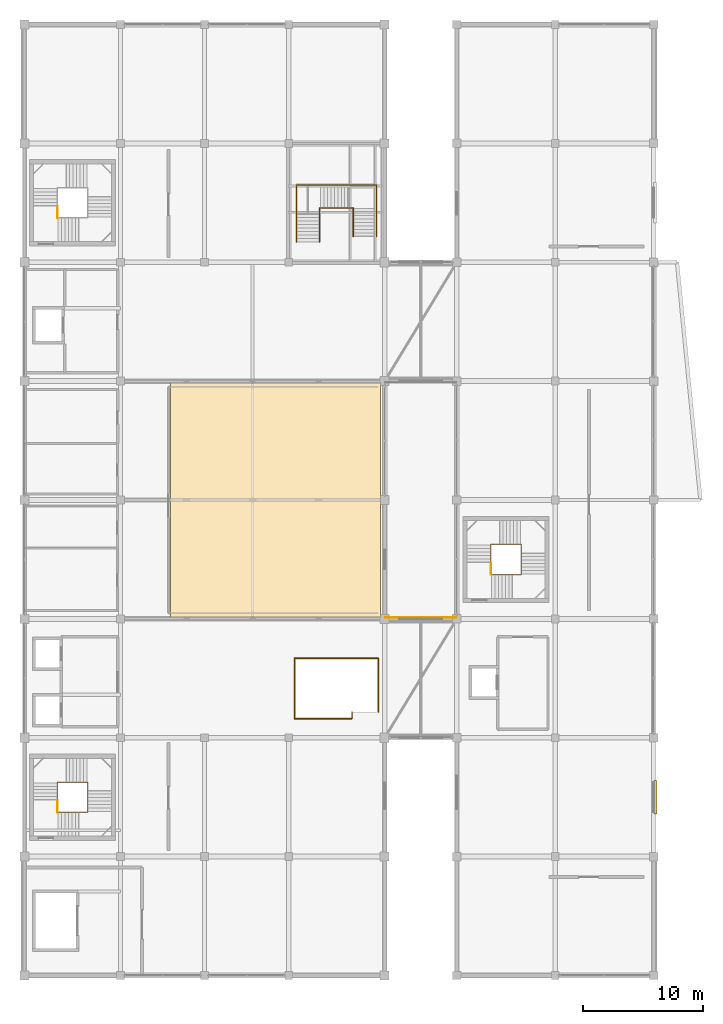
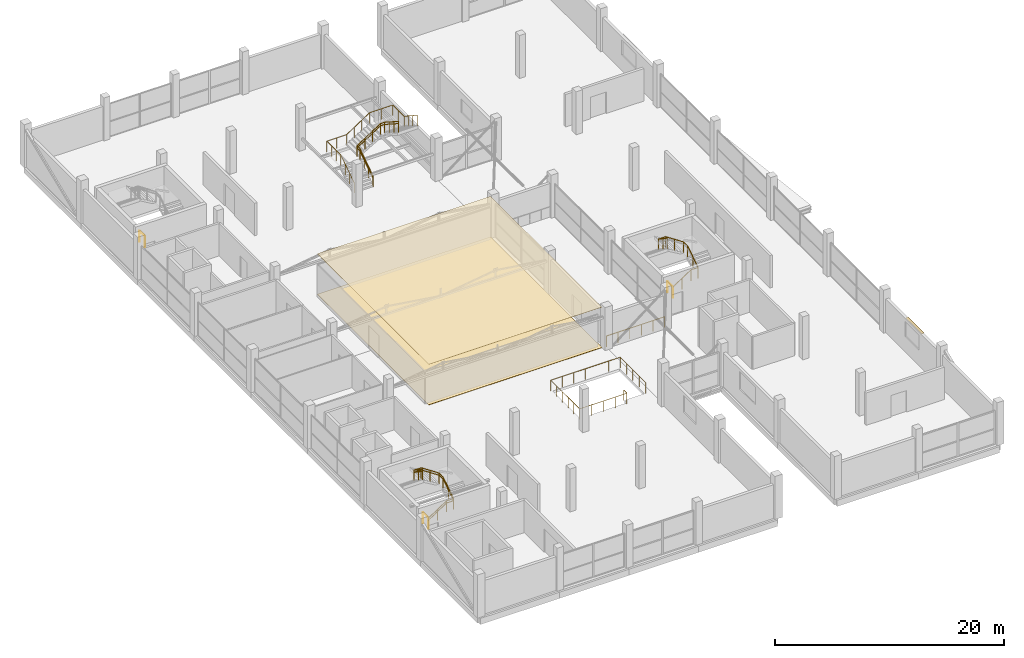
# One storey, part 68 of 69: 11 railings, 2 coverings, 1 shading device.
"""IFC4 building model written with IfcOpenShell, lengths in metres."""

from ifc_helpers import new_model, si_unit, direction, frame, origin, origin_2d, place, context, subcontext, project, spatial, polyline, rectangle, circle, outline, extrude, material, layer, layer_set, type_object, element, save


model = new_model("IFC4")

# Units and contexts
model_context = context("Model", 3, precision=1e-05, world=origin(), true_north=direction((0.0, 1.0)))
body_context = subcontext(model_context, "Body", "Model", "MODEL_VIEW")
ifc_project = project(units=[si_unit("LENGTHUNIT", "METRE"), si_unit("AREAUNIT", "SQUARE_METRE"), si_unit("VOLUMEUNIT", "CUBIC_METRE"), si_unit("PLANEANGLEUNIT", "RADIAN"), si_unit("MASSUNIT", "GRAM", prefix="KILO")], contexts=[model_context])

# Site, building, storey
site_placement = place(None, origin())
site = spatial("IfcSite", under=ifc_project, at=site_placement, CompositionType="ELEMENT")
building_placement = place(site_placement, origin())
building = spatial("IfcBuilding", under=site, at=building_placement, Name="Sillaruma Civic Art Gallery", CompositionType="ELEMENT")
storey_placement = place(building_placement, frame((0.0, 0.0, 42.330078125)))
storey = spatial("IfcBuildingStorey", under=building, at=storey_placement, Name="L08", CompositionType="ELEMENT", Elevation=42.330078125)

# Coverings
ifc_material_1 = material(Name="Gypsum Acoustic Board", Category="gypsum")
ifc_layer_1 = layer(ifc_material_1, 0.030029296875, Name="Gypsum Acoustic Board")
ifc_layer_set_1 = layer_set([ifc_layer_1], Name="Gypsum Acoustic Board")
covering_type_1 = type_object("IfcCoveringType", Name="COV-CLG-30", PredefinedType="CEILING", material=ifc_layer_set_1)
covering_1_placement = place(storey_placement, frame((0.0, 0.0, 4.309814453125)))
element("IfcCovering", 1, at=covering_1_placement, inside=storey, type_object=covering_type_1, Name="Acoustic Gallery Ceiling (L08-GAL81)", PredefinedType="CEILING", context=body_context, shape_type="SweptSolid", body=[
    extrude(outline(polyline([(74.159912109375, 49.659912109375), (91.639892578125, 49.659912109375), (91.639892578125, 69.139892578125), (74.159912109375, 69.139892578125), (74.159912109375, 49.659912109375)])), origin(), (0.0, 0.0, 1.0), 0.030029296875),
])
ifc_material_2 = material(Name="Polished Terrazzo", Category="masonry")
ifc_layer_2 = layer(ifc_material_2, 0.02490234375, Name="Polished Terrazzo")
ifc_layer_set_2 = layer_set([ifc_layer_2], Name="Polished Terrazzo")
covering_type_2 = type_object("IfcCoveringType", Name="COV-FLR-25", PredefinedType="FLOORING", material=ifc_layer_set_2)
covering_2_placement = place(storey_placement, origin())
element("IfcCovering", 2, at=covering_2_placement, inside=storey, type_object=covering_type_2, Name="Gallery Stone Terrazzo Flooring (L08-GAL81)", PredefinedType="FLOORING", context=body_context, shape_type="SweptSolid", body=[
    extrude(outline(polyline([(74.159912109375, 49.659912109375), (91.639892578125, 49.659912109375), (91.639892578125, 69.139892578125), (74.159912109375, 69.139892578125), (74.159912109375, 49.659912109375)])), origin(), (0.0, 0.0, 1.0), 0.02490234375),
])

# Railings
ifc_material_3 = material(Name="Stainless Steel AISI 316", Category="steel")
railing_type_1 = type_object("IfcRailingType", Name="RAL-BAL-1150", PredefinedType="BALUSTRADE", material=ifc_material_3)
railing_1_placement = place(storey_placement, frame((92.06005859375, 49.6201171875, 0.0)))
element("IfcRailing", 3, at=railing_1_placement, inside=storey, type_object=railing_type_1, Name="Sculpture Terrace Balustrade (SLB-L08-TER-CM-1)", PredefinedType="BALUSTRADE", context=body_context, shape_type="SweptSolid", body=[
    extrude(circle(Radius=0.02392578125, at=origin_2d()), frame((0.0, 0.0, 1.1259765625), z_axis=(1.0, 0.0, 0.0), x_axis=(0.0, 1.0, 0.0)), (0.0, 0.0, 1.0), 5.8798828125),
    extrude(circle(Radius=0.02099609375, at=origin_2d()), origin(), (0.0, 0.0, 1.0), 1.101806640625),
    extrude(circle(Radius=0.02099609375, at=origin_2d()), frame((1.176025390625, 0.0, 0.0)), (0.0, 0.0, 1.0), 1.101806640625),
    extrude(circle(Radius=0.02099609375, at=origin_2d()), frame((2.35205078125, 0.0, 0.0)), (0.0, 0.0, 1.0), 1.101806640625),
    extrude(circle(Radius=0.02099609375, at=origin_2d()), frame((3.52783203125, 0.0, 0.0)), (0.0, 0.0, 1.0), 1.101806640625),
    extrude(circle(Radius=0.02099609375, at=origin_2d()), frame((4.703857421875, 0.0, 0.0)), (0.0, 0.0, 1.0), 1.101806640625),
    extrude(circle(Radius=0.02099609375, at=origin_2d()), frame((5.8798828125, 0.0, 0.0)), (0.0, 0.0, 1.0), 1.101806640625),
])
for number, where, name in (
    (4, (64.739990234375, 82.889892578125, 0.0), "Stair Floor Edge Guard (ST-02:L08)"),
    (5, (64.739990234375, 33.389892578125, 0.0), "Stair Floor Edge Guard (ST-03:L08)"),
):
    element("IfcRailing", number, at=place(storey_placement, frame(where)), inside=storey, type_object=railing_type_1, Name=name, PredefinedType="BALUSTRADE", context=body_context, shape_type="SweptSolid", body=[
        extrude(circle(Radius=0.02392578125, at=origin_2d()), frame((0.0, 0.0, 1.1259765625), z_axis=(0.0, 1.0, 0.0), x_axis=(-1.0, 0.0, 0.0)), (0.0, 0.0, 1.0), 0.97021484375),
        extrude(circle(Radius=0.02099609375, at=origin_2d()), origin(), (0.0, 0.0, 1.0), 1.101806640625),
        extrude(circle(Radius=0.02099609375, at=origin_2d()), frame((0.0, 0.97021484375, 0.0)), (0.0, 0.0, 1.0), 1.101806640625),
    ])
railing_2_placement = place(storey_placement, frame((64.739990234375, 33.389892578125, 0.0)))
element("IfcRailing", 6, at=railing_2_placement, inside=storey, type_object=railing_type_1, Name="Stair Well Balustrade (ST-03-L08)", PredefinedType="BALUSTRADE", context=body_context, shape_type="SweptSolid", body=[
    extrude(circle(Radius=0.02392578125, at=origin_2d()), frame((0.0, 0.0, 1.1259765625), z_axis=(0.834202413191, 0.0, 0.551458369984), x_axis=(0.0, 1.0, 0.0)), (0.0, 0.0, 1.0), 2.15771484375),
    extrude(circle(Radius=0.02392578125, at=origin_2d()), frame((1.800048828125, 0.0, 2.31591796875), z_axis=(1.0, 0.0, 0.0), x_axis=(0.0, 1.0, 0.0)), (0.0, 0.0, 1.0), 0.719970703125),
    extrude(circle(Radius=0.02392578125, at=origin_2d()), frame((2.52001953125, 0.0, 2.31591796875), z_axis=(0.0, 0.834202413191, 0.551458369984), x_axis=(-1.0, 0.0, 0.0)), (0.0, 0.0, 1.0), 2.15771484375),
    extrude(circle(Radius=0.02392578125, at=origin_2d()), frame((2.52001953125, 1.800048828125, 3.505859375), z_axis=(0.0, 1.0, 0.0), x_axis=(-1.0, 0.0, 0.0)), (0.0, 0.0, 1.0), 0.719970703125),
    extrude(circle(Radius=0.02392578125, at=origin_2d()), frame((2.52001953125, 2.52001953125, 3.505859375), z_axis=(-0.834202413191, 0.0, 0.551458369984), x_axis=(0.0, -1.0, 0.0)), (0.0, 0.0, 1.0), 2.15771484375),
    extrude(circle(Radius=0.02392578125, at=origin_2d()), frame((0.719970703125, 2.52001953125, 4.69580078125), z_axis=(-1.0, 0.0, 0.0), x_axis=(0.0, -1.0, 0.0)), (0.0, 0.0, 1.0), 0.719970703125),
    extrude(circle(Radius=0.02392578125, at=origin_2d()), frame((0.0, 2.52001953125, 4.69580078125), z_axis=(0.0, -0.828654473869, 0.559760451387), x_axis=(1.0, 0.0, 0.0)), (0.0, 0.0, 1.0), 1.822265625),
    extrude(circle(Radius=0.02099609375, at=origin_2d()), origin(), (0.0, 0.0, 1.0), 1.101806640625),
    extrude(circle(Radius=0.02099609375, at=origin_2d()), frame((0.89990234375, 0.0, 0.594970703125)), (0.0, 0.0, 1.0), 1.101806640625),
    extrude(circle(Radius=0.02099609375, at=origin_2d()), frame((1.800048828125, 0.0, 1.18994140625)), (0.0, 0.0, 1.0), 1.101806640625),
    extrude(circle(Radius=0.02099609375, at=origin_2d()), frame((2.52001953125, 0.0, 1.18994140625)), (0.0, 0.0, 1.0), 1.101806640625),
    extrude(circle(Radius=0.02099609375, at=origin_2d()), frame((2.52001953125, 0.89990234375, 1.784912109375)), (0.0, 0.0, 1.0), 1.101806640625),
    extrude(circle(Radius=0.02099609375, at=origin_2d()), frame((2.52001953125, 1.800048828125, 2.3798828125)), (0.0, 0.0, 1.0), 1.101806640625),
    extrude(circle(Radius=0.02099609375, at=origin_2d()), frame((2.52001953125, 2.52001953125, 2.3798828125)), (0.0, 0.0, 1.0), 1.101806640625),
    extrude(circle(Radius=0.02099609375, at=origin_2d()), frame((1.6201171875, 2.52001953125, 2.974853515625)), (0.0, 0.0, 1.0), 1.101806640625),
    extrude(circle(Radius=0.02099609375, at=origin_2d()), frame((0.719970703125, 2.52001953125, 3.56982421875)), (0.0, 0.0, 1.0), 1.101806640625),
    extrude(circle(Radius=0.02099609375, at=origin_2d()), frame((0.0, 2.52001953125, 3.56982421875)), (0.0, 0.0, 1.0), 1.101806640625),
    extrude(circle(Radius=0.02099609375, at=origin_2d()), frame((0.0, 1.76513671875, 4.079833984375)), (0.0, 0.0, 1.0), 1.101806640625),
    extrude(circle(Radius=0.02099609375, at=origin_2d()), frame((0.0, 1.010009765625, 4.58984375)), (0.0, 0.0, 1.0), 1.101806640625),
])
railing_3_placement = place(storey_placement, frame((100.840087890625, 53.18994140625, 0.0)))
element("IfcRailing", 7, at=railing_3_placement, inside=storey, type_object=railing_type_1, Name="Stair Floor Edge Guard (ST-04:L08)", PredefinedType="BALUSTRADE", context=body_context, shape_type="SweptSolid", body=[
    extrude(circle(Radius=0.02392578125, at=origin_2d()), frame((0.0, 0.0, 1.1259765625), z_axis=(0.0, 1.0, 0.0), x_axis=(-1.0, 0.0, 0.0)), (0.0, 0.0, 1.0), 0.969970703125),
    extrude(circle(Radius=0.02099609375, at=origin_2d()), origin(), (0.0, 0.0, 1.0), 1.101806640625),
    extrude(circle(Radius=0.02099609375, at=origin_2d()), frame((0.0, 0.969970703125, 0.0)), (0.0, 0.0, 1.0), 1.101806640625),
])
railing_4_placement = place(storey_placement, frame((100.840087890625, 53.18994140625, 0.0)))
element("IfcRailing", 8, at=railing_4_placement, inside=storey, type_object=railing_type_1, Name="Stair Well Balustrade (ST-04-L08)", PredefinedType="BALUSTRADE", context=body_context, shape_type="SweptSolid", body=[
    extrude(circle(Radius=0.02392578125, at=origin_2d()), frame((0.0, 0.0, 1.1259765625), z_axis=(0.834168000855, 0.0, 0.551510422703), x_axis=(0.0, 1.0, 0.0)), (0.0, 0.0, 1.0), 2.15771484375),
    extrude(circle(Radius=0.02392578125, at=origin_2d()), frame((1.7998046875, 0.0, 2.31591796875), z_axis=(1.0, 0.0, 0.0), x_axis=(0.0, 1.0, 0.0)), (0.0, 0.0, 1.0), 0.72021484375),
    extrude(circle(Radius=0.02392578125, at=origin_2d()), frame((2.52001953125, 0.0, 2.31591796875), z_axis=(0.0, 0.834202413191, 0.551458369984), x_axis=(-1.0, 0.0, 0.0)), (0.0, 0.0, 1.0), 2.15771484375),
    extrude(circle(Radius=0.02392578125, at=origin_2d()), frame((2.52001953125, 1.800048828125, 3.505859375), z_axis=(0.0, 1.0, 0.0), x_axis=(-1.0, 0.0, 0.0)), (0.0, 0.0, 1.0), 0.719970703125),
    extrude(circle(Radius=0.02392578125, at=origin_2d()), frame((2.52001953125, 2.52001953125, 3.505859375), z_axis=(-0.834202413191, 0.0, 0.551458369984), x_axis=(0.0, -1.0, 0.0)), (0.0, 0.0, 1.0), 2.15771484375),
    extrude(circle(Radius=0.02392578125, at=origin_2d()), frame((0.719970703125, 2.52001953125, 4.69580078125), z_axis=(-1.0, 0.0, 0.0), x_axis=(0.0, -1.0, 0.0)), (0.0, 0.0, 1.0), 0.719970703125),
    extrude(circle(Radius=0.02392578125, at=origin_2d()), frame((0.0, 2.52001953125, 4.69580078125), z_axis=(0.0, -0.828654473869, 0.559760451387), x_axis=(1.0, 0.0, 0.0)), (0.0, 0.0, 1.0), 1.822265625),
    extrude(circle(Radius=0.02099609375, at=origin_2d()), origin(), (0.0, 0.0, 1.0), 1.101806640625),
    extrude(circle(Radius=0.02099609375, at=origin_2d()), frame((0.89990234375, 0.0, 0.594970703125)), (0.0, 0.0, 1.0), 1.101806640625),
    extrude(circle(Radius=0.02099609375, at=origin_2d()), frame((1.7998046875, 0.0, 1.18994140625)), (0.0, 0.0, 1.0), 1.101806640625),
    extrude(circle(Radius=0.02099609375, at=origin_2d()), frame((2.52001953125, 0.0, 1.18994140625)), (0.0, 0.0, 1.0), 1.101806640625),
    extrude(circle(Radius=0.02099609375, at=origin_2d()), frame((2.52001953125, 0.89990234375, 1.784912109375)), (0.0, 0.0, 1.0), 1.101806640625),
    extrude(circle(Radius=0.02099609375, at=origin_2d()), frame((2.52001953125, 1.800048828125, 2.3798828125)), (0.0, 0.0, 1.0), 1.101806640625),
    extrude(circle(Radius=0.02099609375, at=origin_2d()), frame((2.52001953125, 2.52001953125, 2.3798828125)), (0.0, 0.0, 1.0), 1.101806640625),
    extrude(circle(Radius=0.02099609375, at=origin_2d()), frame((1.6201171875, 2.52001953125, 2.974853515625)), (0.0, 0.0, 1.0), 1.101806640625),
    extrude(circle(Radius=0.02099609375, at=origin_2d()), frame((0.719970703125, 2.52001953125, 3.56982421875)), (0.0, 0.0, 1.0), 1.101806640625),
    extrude(circle(Radius=0.02099609375, at=origin_2d()), frame((0.0, 2.52001953125, 3.56982421875)), (0.0, 0.0, 1.0), 1.101806640625),
    extrude(circle(Radius=0.02099609375, at=origin_2d()), frame((0.0, 1.76513671875, 4.079833984375)), (0.0, 0.0, 1.0), 1.101806640625),
    extrude(circle(Radius=0.02099609375, at=origin_2d()), frame((0.0, 1.010009765625, 4.58984375)), (0.0, 0.0, 1.0), 1.101806640625),
])
railing_5_placement = place(storey_placement, frame((89.260009765625, 41.739990234375, 0.0)))
element("IfcRailing", 9, at=railing_5_placement, inside=storey, type_object=railing_type_1, Name="Feature Stair Arrival Well Balustrade (ST-G04)", PredefinedType="BALUSTRADE", context=body_context, shape_type="SweptSolid", body=[
    extrude(circle(Radius=0.02392578125, at=origin_2d()), frame((0.0, 0.0, 1.1259765625), z_axis=(0.0, -1.0, 0.0), x_axis=(1.0, 0.0, 0.0)), (0.0, 0.0, 1.0), 0.56005859375),
    extrude(circle(Radius=0.02392578125, at=origin_2d()), frame((0.0, -0.56005859375, 1.1259765625), z_axis=(-1.0, 0.0, 0.0), x_axis=(0.0, -1.0, 0.0)), (0.0, 0.0, 1.0), 4.780029296875),
    extrude(circle(Radius=0.02392578125, at=origin_2d()), frame((-4.780029296875, -0.56005859375, 1.1259765625), z_axis=(0.0, 1.0, 0.0), x_axis=(-1.0, 0.0, 0.0)), (0.0, 0.0, 1.0), 5.0400390625),
    extrude(circle(Radius=0.02392578125, at=origin_2d()), frame((-4.780029296875, 4.47998046875, 1.1259765625), z_axis=(1.0, 0.0, 0.0), x_axis=(0.0, 1.0, 0.0)), (0.0, 0.0, 1.0), 7.0),
    extrude(circle(Radius=0.02392578125, at=origin_2d()), frame((2.219970703125, 4.47998046875, 1.1259765625), z_axis=(0.0, -1.0, 0.0), x_axis=(1.0, 0.0, 0.0)), (0.0, 0.0, 1.0), 4.47998046875),
    extrude(circle(Radius=0.02099609375, at=origin_2d()), origin(), (0.0, 0.0, 1.0), 1.101806640625),
    extrude(circle(Radius=0.02099609375, at=origin_2d()), frame((0.0, -0.56005859375, 0.0)), (0.0, 0.0, 1.0), 1.101806640625),
    extrude(circle(Radius=0.02099609375, at=origin_2d()), frame((-1.195068359375, -0.56005859375, 0.0)), (0.0, 0.0, 1.0), 1.101806640625),
    extrude(circle(Radius=0.02099609375, at=origin_2d()), frame((-2.39013671875, -0.56005859375, 0.0)), (0.0, 0.0, 1.0), 1.101806640625),
    extrude(circle(Radius=0.02099609375, at=origin_2d()), frame((-3.5849609375, -0.56005859375, 0.0)), (0.0, 0.0, 1.0), 1.101806640625),
    extrude(circle(Radius=0.02099609375, at=origin_2d()), frame((-4.780029296875, -0.56005859375, 0.0)), (0.0, 0.0, 1.0), 1.101806640625),
    extrude(circle(Radius=0.02099609375, at=origin_2d()), frame((-4.780029296875, 0.447998046875, 0.0)), (0.0, 0.0, 1.0), 1.101806640625),
    extrude(circle(Radius=0.02099609375, at=origin_2d()), frame((-4.780029296875, 1.4560546875, 0.0)), (0.0, 0.0, 1.0), 1.101806640625),
    extrude(circle(Radius=0.02099609375, at=origin_2d()), frame((-4.780029296875, 2.4638671875, 0.0)), (0.0, 0.0, 1.0), 1.101806640625),
    extrude(circle(Radius=0.02099609375, at=origin_2d()), frame((-4.780029296875, 3.471923828125, 0.0)), (0.0, 0.0, 1.0), 1.101806640625),
    extrude(circle(Radius=0.02099609375, at=origin_2d()), frame((-4.780029296875, 4.47998046875, 0.0)), (0.0, 0.0, 1.0), 1.101806640625),
    extrude(circle(Radius=0.02099609375, at=origin_2d()), frame((-3.61328125, 4.47998046875, 0.0)), (0.0, 0.0, 1.0), 1.101806640625),
    extrude(circle(Radius=0.02099609375, at=origin_2d()), frame((-2.44677734375, 4.47998046875, 0.0)), (0.0, 0.0, 1.0), 1.101806640625),
    extrude(circle(Radius=0.02099609375, at=origin_2d()), frame((-1.280029296875, 4.47998046875, 0.0)), (0.0, 0.0, 1.0), 1.101806640625),
    extrude(circle(Radius=0.02099609375, at=origin_2d()), frame((-0.11328125, 4.47998046875, 0.0)), (0.0, 0.0, 1.0), 1.101806640625),
    extrude(circle(Radius=0.02099609375, at=origin_2d()), frame((1.05322265625, 4.47998046875, 0.0)), (0.0, 0.0, 1.0), 1.101806640625),
    extrude(circle(Radius=0.02099609375, at=origin_2d()), frame((2.219970703125, 4.47998046875, 0.0)), (0.0, 0.0, 1.0), 1.101806640625),
    extrude(circle(Radius=0.02099609375, at=origin_2d()), frame((2.219970703125, 3.35986328125, 0.0)), (0.0, 0.0, 1.0), 1.101806640625),
    extrude(circle(Radius=0.02099609375, at=origin_2d()), frame((2.219970703125, 2.239990234375, 0.0)), (0.0, 0.0, 1.0), 1.101806640625),
    extrude(circle(Radius=0.02099609375, at=origin_2d()), frame((2.219970703125, 1.1201171875, 0.0)), (0.0, 0.0, 1.0), 1.101806640625),
    extrude(circle(Radius=0.02099609375, at=origin_2d()), frame((2.219970703125, 0.0, 0.0)), (0.0, 0.0, 1.0), 1.101806640625),
])
railing_6_placement = place(storey_placement, frame((86.580078125, 80.89990234375, 0.0)))
element("IfcRailing", 10, at=railing_6_placement, inside=storey, type_object=railing_type_1, Name="Feature Stair Inner Guard (ST-G05)", PredefinedType="BALUSTRADE", context=body_context, shape_type="SweptSolid", body=[
    extrude(circle(Radius=0.02392578125, at=origin_2d()), frame((0.0, 0.0, 1.1259765625), z_axis=(0.0, 0.834810476361, 0.55053743611), x_axis=(-1.0, 0.0, 0.0)), (0.0, 0.0, 1.0), 2.779052734375),
    extrude(circle(Radius=0.02392578125, at=origin_2d()), frame((0.0, 2.320068359375, 2.65576171875), z_axis=(0.0, 1.0, 0.0), x_axis=(-1.0, 0.0, 0.0)), (0.0, 0.0, 1.0), 0.5),
    extrude(circle(Radius=0.02392578125, at=origin_2d()), frame((0.0, 2.820068359375, 2.65576171875), z_axis=(0.841200905049, 0.0, 0.540722699121), x_axis=(0.0, 1.0, 0.0)), (0.0, 0.0, 1.0), 2.8291015625),
    extrude(circle(Radius=0.02392578125, at=origin_2d()), frame((2.3798828125, 2.820068359375, 4.185546875), z_axis=(1.0, 0.0, 0.0), x_axis=(0.0, 1.0, 0.0)), (0.0, 0.0, 1.0), 0.419921875),
    extrude(circle(Radius=0.02392578125, at=origin_2d()), frame((2.7998046875, 2.820068359375, 4.185546875), z_axis=(0.0, -0.841161652958, 0.540783758626), x_axis=(1.0, 0.0, 0.0)), (0.0, 0.0, 1.0), 2.829345703125),
    extrude(circle(Radius=0.02099609375, at=origin_2d()), origin(), (0.0, 0.0, 1.0), 1.101806640625),
    extrude(circle(Radius=0.02099609375, at=origin_2d()), frame((0.0, 0.7734375, 0.510009765625)), (0.0, 0.0, 1.0), 1.101806640625),
    extrude(circle(Radius=0.02099609375, at=origin_2d()), frame((0.0, 1.546630859375, 1.02001953125)), (0.0, 0.0, 1.0), 1.101806640625),
    extrude(circle(Radius=0.02099609375, at=origin_2d()), frame((0.0, 2.320068359375, 1.530029296875)), (0.0, 0.0, 1.0), 1.101806640625),
    extrude(circle(Radius=0.02099609375, at=origin_2d()), frame((0.0, 2.820068359375, 1.530029296875)), (0.0, 0.0, 1.0), 1.101806640625),
    extrude(circle(Radius=0.02099609375, at=origin_2d()), frame((0.793212890625, 2.820068359375, 2.0400390625)), (0.0, 0.0, 1.0), 1.101806640625),
    extrude(circle(Radius=0.02099609375, at=origin_2d()), frame((1.586669921875, 2.820068359375, 2.5498046875)), (0.0, 0.0, 1.0), 1.101806640625),
    extrude(circle(Radius=0.02099609375, at=origin_2d()), frame((2.3798828125, 2.820068359375, 3.059814453125)), (0.0, 0.0, 1.0), 1.101806640625),
    extrude(circle(Radius=0.02099609375, at=origin_2d()), frame((2.7998046875, 2.820068359375, 3.059814453125)), (0.0, 0.0, 1.0), 1.101806640625),
    extrude(circle(Radius=0.02099609375, at=origin_2d()), frame((2.7998046875, 2.02685546875, 3.56982421875)), (0.0, 0.0, 1.0), 1.101806640625),
    extrude(circle(Radius=0.02099609375, at=origin_2d()), frame((2.7998046875, 1.2333984375, 4.079833984375)), (0.0, 0.0, 1.0), 1.101806640625),
    extrude(circle(Radius=0.02099609375, at=origin_2d()), frame((2.7998046875, 0.440185546875, 4.58984375)), (0.0, 0.0, 1.0), 1.101806640625),
])
railing_7_placement = place(storey_placement, frame((84.659912109375, 80.89990234375, 0.0)))
element("IfcRailing", 11, at=railing_7_placement, inside=storey, type_object=railing_type_1, Name="Feature Stair Outer Guard (ST-G05)", PredefinedType="BALUSTRADE", context=body_context, shape_type="SweptSolid", body=[
    extrude(circle(Radius=0.02392578125, at=origin_2d()), frame((0.0, 0.0, 1.1259765625), z_axis=(0.0, 0.834810476361, 0.55053743611), x_axis=(-1.0, 0.0, 0.0)), (0.0, 0.0, 1.0), 2.779052734375),
    extrude(circle(Radius=0.02392578125, at=origin_2d()), frame((0.0, 2.320068359375, 2.65576171875), z_axis=(0.0, 1.0, 0.0), x_axis=(-1.0, 0.0, 0.0)), (0.0, 0.0, 1.0), 2.419921875),
    extrude(circle(Radius=0.02392578125, at=origin_2d()), frame((0.0, 4.739990234375, 2.65576171875), z_axis=(1.0, 0.0, 0.0), x_axis=(0.0, 1.0, 0.0)), (0.0, 0.0, 1.0), 1.97998046875),
    extrude(circle(Radius=0.02392578125, at=origin_2d()), frame((1.97998046875, 4.739990234375, 2.65576171875), z_axis=(0.83485085008, 0.0, 0.550476210313), x_axis=(0.0, 1.0, 0.0)), (0.0, 0.0, 1.0), 2.779052734375),
    extrude(circle(Radius=0.02392578125, at=origin_2d()), frame((4.300048828125, 4.739990234375, 4.185546875), z_axis=(1.0, 0.0, 0.0), x_axis=(0.0, 1.0, 0.0)), (0.0, 0.0, 1.0), 2.340087890625),
    extrude(circle(Radius=0.02392578125, at=origin_2d()), frame((6.64013671875, 4.739990234375, 4.185546875), z_axis=(0.0, -1.0, 0.0), x_axis=(1.0, 0.0, 0.0)), (0.0, 0.0, 1.0), 1.97998046875),
    extrude(circle(Radius=0.02392578125, at=origin_2d()), frame((6.64013671875, 2.760009765625, 4.185546875), z_axis=(0.0, -0.834783847741, 0.550577812439), x_axis=(1.0, 0.0, 0.0)), (0.0, 0.0, 1.0), 2.779052734375),
    extrude(circle(Radius=0.02099609375, at=origin_2d()), origin(), (0.0, 0.0, 1.0), 1.101806640625),
    extrude(circle(Radius=0.02099609375, at=origin_2d()), frame((0.0, 0.7734375, 0.510009765625)), (0.0, 0.0, 1.0), 1.101806640625),
    extrude(circle(Radius=0.02099609375, at=origin_2d()), frame((0.0, 1.546630859375, 1.02001953125)), (0.0, 0.0, 1.0), 1.101806640625),
    extrude(circle(Radius=0.02099609375, at=origin_2d()), frame((0.0, 2.320068359375, 1.530029296875)), (0.0, 0.0, 1.0), 1.101806640625),
    extrude(circle(Radius=0.02099609375, at=origin_2d()), frame((0.0, 3.126708984375, 1.530029296875)), (0.0, 0.0, 1.0), 1.101806640625),
    extrude(circle(Radius=0.02099609375, at=origin_2d()), frame((0.0, 3.933349609375, 1.530029296875)), (0.0, 0.0, 1.0), 1.101806640625),
    extrude(circle(Radius=0.02099609375, at=origin_2d()), frame((0.0, 4.739990234375, 1.530029296875)), (0.0, 0.0, 1.0), 1.101806640625),
    extrude(circle(Radius=0.02099609375, at=origin_2d()), frame((0.989990234375, 4.739990234375, 1.530029296875)), (0.0, 0.0, 1.0), 1.101806640625),
    extrude(circle(Radius=0.02099609375, at=origin_2d()), frame((1.97998046875, 4.739990234375, 1.530029296875)), (0.0, 0.0, 1.0), 1.101806640625),
    extrude(circle(Radius=0.02099609375, at=origin_2d()), frame((2.75341796875, 4.739990234375, 2.0400390625)), (0.0, 0.0, 1.0), 1.101806640625),
    extrude(circle(Radius=0.02099609375, at=origin_2d()), frame((3.526611328125, 4.739990234375, 2.5498046875)), (0.0, 0.0, 1.0), 1.101806640625),
    extrude(circle(Radius=0.02099609375, at=origin_2d()), frame((4.300048828125, 4.739990234375, 3.059814453125)), (0.0, 0.0, 1.0), 1.101806640625),
    extrude(circle(Radius=0.02099609375, at=origin_2d()), frame((5.47021484375, 4.739990234375, 3.059814453125)), (0.0, 0.0, 1.0), 1.101806640625),
    extrude(circle(Radius=0.02099609375, at=origin_2d()), frame((6.64013671875, 4.739990234375, 3.059814453125)), (0.0, 0.0, 1.0), 1.101806640625),
    extrude(circle(Radius=0.02099609375, at=origin_2d()), frame((6.64013671875, 3.75, 3.059814453125)), (0.0, 0.0, 1.0), 1.101806640625),
    extrude(circle(Radius=0.02099609375, at=origin_2d()), frame((6.64013671875, 2.760009765625, 3.059814453125)), (0.0, 0.0, 1.0), 1.101806640625),
    extrude(circle(Radius=0.02099609375, at=origin_2d()), frame((6.64013671875, 1.98681640625, 3.56982421875)), (0.0, 0.0, 1.0), 1.101806640625),
    extrude(circle(Radius=0.02099609375, at=origin_2d()), frame((6.64013671875, 1.21337890625, 4.079833984375)), (0.0, 0.0, 1.0), 1.101806640625),
    extrude(circle(Radius=0.02099609375, at=origin_2d()), frame((6.64013671875, 0.440185546875, 4.58984375)), (0.0, 0.0, 1.0), 1.101806640625),
])
railing_type_2 = type_object("IfcRailingType", Name="RAL-HND-920", PredefinedType="HANDRAIL", material=ifc_material_3)
railing_8_placement = place(storey_placement, frame((64.739990234375, 33.389892578125, 0.0)))
element("IfcRailing", 12, at=railing_8_placement, inside=storey, type_object=railing_type_2, Name="Stair Continuous Handrail (ST-03-L08)", PredefinedType="HANDRAIL", context=body_context, shape_type="SweptSolid", body=[
    extrude(circle(Radius=0.02392578125, at=origin_2d()), frame((0.0, 0.0, 0.89599609375), z_axis=(0.834202413191, 0.0, 0.551458369984), x_axis=(0.0, 1.0, 0.0)), (0.0, 0.0, 1.0), 2.15771484375),
    extrude(circle(Radius=0.02392578125, at=origin_2d()), frame((1.800048828125, 0.0, 2.0859375), z_axis=(1.0, 0.0, 0.0), x_axis=(0.0, 1.0, 0.0)), (0.0, 0.0, 1.0), 0.719970703125),
    extrude(circle(Radius=0.02392578125, at=origin_2d()), frame((2.52001953125, 0.0, 2.0859375), z_axis=(0.0, 0.834202413191, 0.551458369984), x_axis=(-1.0, 0.0, 0.0)), (0.0, 0.0, 1.0), 2.15771484375),
    extrude(circle(Radius=0.02392578125, at=origin_2d()), frame((2.52001953125, 1.800048828125, 3.27587890625), z_axis=(0.0, 1.0, 0.0), x_axis=(-1.0, 0.0, 0.0)), (0.0, 0.0, 1.0), 0.719970703125),
    extrude(circle(Radius=0.02392578125, at=origin_2d()), frame((2.52001953125, 2.52001953125, 3.27587890625), z_axis=(-0.834202413191, 0.0, 0.551458369984), x_axis=(0.0, -1.0, 0.0)), (0.0, 0.0, 1.0), 2.15771484375),
    extrude(circle(Radius=0.02392578125, at=origin_2d()), frame((0.719970703125, 2.52001953125, 4.4658203125), z_axis=(-1.0, 0.0, 0.0), x_axis=(0.0, -1.0, 0.0)), (0.0, 0.0, 1.0), 0.719970703125),
    extrude(circle(Radius=0.02392578125, at=origin_2d()), frame((0.0, 2.52001953125, 4.4658203125), z_axis=(0.0, -0.828654473869, 0.559760451387), x_axis=(1.0, 0.0, 0.0)), (0.0, 0.0, 1.0), 1.822265625),
    extrude(circle(Radius=0.02099609375, at=origin_2d()), origin(), (0.0, 0.0, 1.0), 0.871826171875),
    extrude(circle(Radius=0.02099609375, at=origin_2d()), frame((0.89990234375, 0.0, 0.594970703125)), (0.0, 0.0, 1.0), 0.871826171875),
    extrude(circle(Radius=0.02099609375, at=origin_2d()), frame((1.800048828125, 0.0, 1.18994140625)), (0.0, 0.0, 1.0), 0.871826171875),
    extrude(circle(Radius=0.02099609375, at=origin_2d()), frame((2.52001953125, 0.0, 1.18994140625)), (0.0, 0.0, 1.0), 0.871826171875),
    extrude(circle(Radius=0.02099609375, at=origin_2d()), frame((2.52001953125, 0.89990234375, 1.784912109375)), (0.0, 0.0, 1.0), 0.871826171875),
    extrude(circle(Radius=0.02099609375, at=origin_2d()), frame((2.52001953125, 1.800048828125, 2.3798828125)), (0.0, 0.0, 1.0), 0.871826171875),
    extrude(circle(Radius=0.02099609375, at=origin_2d()), frame((2.52001953125, 2.52001953125, 2.3798828125)), (0.0, 0.0, 1.0), 0.871826171875),
    extrude(circle(Radius=0.02099609375, at=origin_2d()), frame((1.6201171875, 2.52001953125, 2.974853515625)), (0.0, 0.0, 1.0), 0.871826171875),
    extrude(circle(Radius=0.02099609375, at=origin_2d()), frame((0.719970703125, 2.52001953125, 3.56982421875)), (0.0, 0.0, 1.0), 0.871826171875),
    extrude(circle(Radius=0.02099609375, at=origin_2d()), frame((0.0, 2.52001953125, 3.56982421875)), (0.0, 0.0, 1.0), 0.871826171875),
    extrude(circle(Radius=0.02099609375, at=origin_2d()), frame((0.0, 1.76513671875, 4.079833984375)), (0.0, 0.0, 1.0), 0.871826171875),
    extrude(circle(Radius=0.02099609375, at=origin_2d()), frame((0.0, 1.010009765625, 4.58984375)), (0.0, 0.0, 1.0), 0.871826171875),
])
railing_9_placement = place(storey_placement, frame((86.580078125, 80.89990234375, 0.0)))
element("IfcRailing", 13, at=railing_9_placement, inside=storey, type_object=railing_type_2, Name="Feature Stair Handrail (ST-G05)", PredefinedType="HANDRAIL", context=body_context, shape_type="SweptSolid", body=[
    extrude(circle(Radius=0.02392578125, at=origin_2d()), frame((0.0, 0.0, 0.89599609375), z_axis=(0.0, 0.834810476361, 0.55053743611), x_axis=(-1.0, 0.0, 0.0)), (0.0, 0.0, 1.0), 2.779052734375),
    extrude(circle(Radius=0.02392578125, at=origin_2d()), frame((0.0, 2.320068359375, 2.42578125), z_axis=(0.0, 1.0, 0.0), x_axis=(-1.0, 0.0, 0.0)), (0.0, 0.0, 1.0), 0.5),
    extrude(circle(Radius=0.02392578125, at=origin_2d()), frame((0.0, 2.820068359375, 2.42578125), z_axis=(0.841200905049, 0.0, 0.540722699121), x_axis=(0.0, 1.0, 0.0)), (0.0, 0.0, 1.0), 2.8291015625),
    extrude(circle(Radius=0.02392578125, at=origin_2d()), frame((2.3798828125, 2.820068359375, 3.95556640625), z_axis=(1.0, 0.0, 0.0), x_axis=(0.0, 1.0, 0.0)), (0.0, 0.0, 1.0), 0.419921875),
    extrude(circle(Radius=0.02392578125, at=origin_2d()), frame((2.7998046875, 2.820068359375, 3.95556640625), z_axis=(0.0, -0.841161652958, 0.540783758626), x_axis=(1.0, 0.0, 0.0)), (0.0, 0.0, 1.0), 2.829345703125),
    extrude(circle(Radius=0.02099609375, at=origin_2d()), origin(), (0.0, 0.0, 1.0), 0.871826171875),
    extrude(circle(Radius=0.02099609375, at=origin_2d()), frame((0.0, 0.7734375, 0.510009765625)), (0.0, 0.0, 1.0), 0.871826171875),
    extrude(circle(Radius=0.02099609375, at=origin_2d()), frame((0.0, 1.546630859375, 1.02001953125)), (0.0, 0.0, 1.0), 0.871826171875),
    extrude(circle(Radius=0.02099609375, at=origin_2d()), frame((0.0, 2.320068359375, 1.530029296875)), (0.0, 0.0, 1.0), 0.871826171875),
    extrude(circle(Radius=0.02099609375, at=origin_2d()), frame((0.0, 2.820068359375, 1.530029296875)), (0.0, 0.0, 1.0), 0.871826171875),
    extrude(circle(Radius=0.02099609375, at=origin_2d()), frame((0.793212890625, 2.820068359375, 2.0400390625)), (0.0, 0.0, 1.0), 0.871826171875),
    extrude(circle(Radius=0.02099609375, at=origin_2d()), frame((1.586669921875, 2.820068359375, 2.5498046875)), (0.0, 0.0, 1.0), 0.871826171875),
    extrude(circle(Radius=0.02099609375, at=origin_2d()), frame((2.3798828125, 2.820068359375, 3.059814453125)), (0.0, 0.0, 1.0), 0.871826171875),
    extrude(circle(Radius=0.02099609375, at=origin_2d()), frame((2.7998046875, 2.820068359375, 3.059814453125)), (0.0, 0.0, 1.0), 0.871826171875),
    extrude(circle(Radius=0.02099609375, at=origin_2d()), frame((2.7998046875, 2.02685546875, 3.56982421875)), (0.0, 0.0, 1.0), 0.871826171875),
    extrude(circle(Radius=0.02099609375, at=origin_2d()), frame((2.7998046875, 1.2333984375, 4.079833984375)), (0.0, 0.0, 1.0), 0.871826171875),
    extrude(circle(Radius=0.02099609375, at=origin_2d()), frame((2.7998046875, 0.440185546875, 4.58984375)), (0.0, 0.0, 1.0), 0.871826171875),
])

# Shading device
ifc_material_4 = material(Name="Anodised Extruded Aluminium 6063-T6", Category="aluminium")
shading_device_type = type_object("IfcShadingDeviceType", Name="SHD-LOU-02", PredefinedType="USERDEFINED", material=ifc_material_4)
shading_device_placement = place(storey_placement, frame((114.5400390625, 34.64990234375, 3.4248046875), z_axis=(0.0, 0.0, 1.0), x_axis=(0.0, 1.0, 0.0)))
element("IfcShadingDevice", 14, at=shading_device_placement, inside=storey, type_object=shading_device_type, Name="Studio Solar Louvre Baffle (L08-2)", ObjectType="LOUVRE", PredefinedType="USERDEFINED", context=body_context, shape_type="SweptSolid", body=[
    extrude(rectangle(XDim=2.800048828125, YDim=0.239990234375, at=origin_2d()), origin(), (0.0, 0.0, 1.0), 0.050048828125),
])

save(model, "model.ifc")
